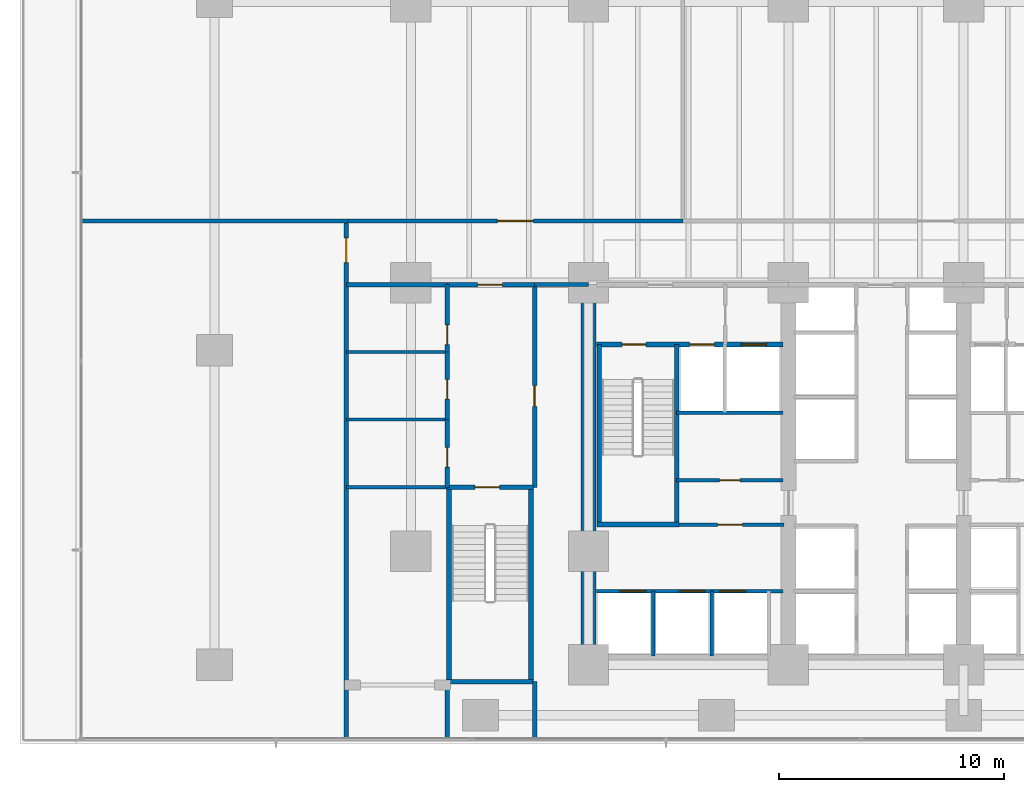
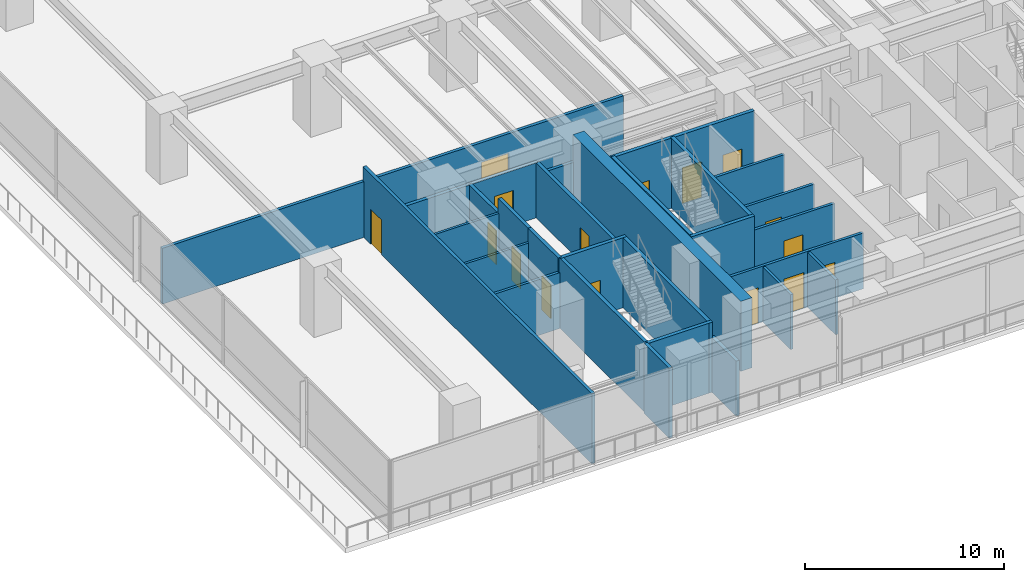
# One storey, part 10 of 27: 30 walls, 16 doors, 16 openings.
"""IFC4 building model written with IfcOpenShell, lengths in metres."""

from ifc_helpers import new_model, si_unit, direction, frame, frame_2d, origin, place, context, subcontext, project, spatial, rectangle, extrude, material, layer, layer_set, type_object, element, fill, save


model = new_model("IFC4")

# Units and contexts
model_context = context("Model", 3, precision=1e-05, world=origin(), true_north=direction((0.0, 1.0)))
body_context = subcontext(model_context, "Body", "Model", "MODEL_VIEW")
ifc_project = project(units=[si_unit("LENGTHUNIT", "METRE"), si_unit("AREAUNIT", "SQUARE_METRE"), si_unit("VOLUMEUNIT", "CUBIC_METRE"), si_unit("PLANEANGLEUNIT", "RADIAN"), si_unit("MASSUNIT", "GRAM", prefix="KILO")], contexts=[model_context])

# Site, building, storey
site_placement = place(None, origin())
site = spatial("IfcSite", under=ifc_project, at=site_placement, CompositionType="ELEMENT")
building_placement = place(site_placement, origin())
building = spatial("IfcBuilding", under=site, at=building_placement, Name="Qalmaran Belvedere Hotel", CompositionType="ELEMENT")
storey_placement = place(building_placement, frame((0.0, 0.0, 5.39990234375)))
storey = spatial("IfcBuildingStorey", under=building, at=storey_placement, Name="L01", CompositionType="ELEMENT", Elevation=5.39990234375)

# Walls
ifc_material_1 = material(Name="Concrete C60/75", Category="concrete")
ifc_layer_1 = layer(ifc_material_1, 0.64990234375, Name="Concrete C60/75")
ifc_layer_set_1 = layer_set([ifc_layer_1], Name="Concrete C60/75")
wall_type_1 = type_object("IfcWallType", Name="WL-CORE-650-C60", PredefinedType="SHEAR", material=ifc_layer_set_1)
wall_1_placement = place(storey_placement, frame((20.300048828125, 3.5, 0.0), z_axis=(0.0, 0.0, 1.0), x_axis=(0.0, 1.0, 0.0)))
element("IfcWall", 1, at=wall_1_placement, inside=storey, type_object=wall_type_1, Name="L01 West Core Shear Wall", PredefinedType="SHEAR", context=body_context, shape_type="SweptSolid", body=[
    extrude(rectangle(XDim=16.89990234375, YDim=0.64990234375, at=frame_2d((8.449951171875, 0.0))), origin(), (0.0, 0.0, 1.0), 4.300048828125),
])
ifc_material_2 = material(Name="Gypsum Stud Partition")
ifc_layer_2 = layer(ifc_material_2, 0.139892578125, Name="Gypsum Stud Partition")
ifc_layer_set_2 = layer_set([ifc_layer_2], Name="Gypsum Stud Partition")
wall_type_2 = type_object("IfcWallType", Name="WL-INT-140-NR", PredefinedType="PARTITIONING", material=ifc_layer_set_2)
for number, where, z_axis, x_axis, name in (
    (2, (9.52001953125, 14.419921875, 0.0), (0.0, 0.0, 1.0), (1.0, 0.0, 0.0), "L01 Partition WL-L01-WC1"),
    (3, (9.52001953125, 17.419921875, 0.0), (0.0, 0.0, 1.0), (1.0, 0.0, 0.0), "L01 Partition WL-L01-WC2"),
):
    element("IfcWall", number, at=place(storey_placement, frame(where, z_axis=z_axis, x_axis=x_axis)), inside=storey, type_object=wall_type_2, Name=name, PredefinedType="PARTITIONING", context=body_context, shape_type="SweptSolid", body=[
        extrude(rectangle(XDim=4.5, YDim=0.139892578125, at=frame_2d((2.25, 0.0))), origin(), (0.0, 0.0, 1.0), 3.43017578125),
    ])
ifc_layer_3 = layer(ifc_material_2, 0.14990234375, Name="Gypsum Stud Partition")
ifc_layer_set_3 = layer_set([ifc_layer_3], Name="Gypsum Stud Partition")
wall_type_3 = type_object("IfcWallType", Name="WL-INT-150-EI120", PredefinedType="PARTITIONING", material=ifc_layer_set_3)
for number, where, z_axis, x_axis, name in (
    (4, (23.179931640625, 3.89990234375, 0.0), (0.0, 0.0, 1.0), (0.0, 1.0, 0.0), "L01 Partition WL-POM1-L01"),
    (5, (25.780029296875, 3.89990234375, 0.0), (0.0, 0.0, 1.0), (0.0, 1.0, 0.0), "L01 Partition WL-POM2-L01"),
):
    element("IfcWall", number, at=place(storey_placement, frame(where, z_axis=z_axis, x_axis=x_axis)), inside=storey, type_object=wall_type_3, Name=name, PredefinedType="PARTITIONING", context=body_context, shape_type="SweptSolid", body=[
        extrude(rectangle(XDim=2.880126953125, YDim=0.14990234375, at=frame_2d((1.43994140625, 0.0))), origin(), (0.0, 0.0, 1.0), 3.373046875),
    ])
ifc_layer_4 = layer(ifc_material_2, 0.159912109375, Name="Gypsum Stud Partition")
ifc_layer_set_4 = layer_set([ifc_layer_4], Name="Gypsum Stud Partition")
wall_type_4 = type_object("IfcWallType", Name="WL-INT-160-EI120", PredefinedType="PARTITIONING", material=ifc_layer_set_4)
wall_2_placement = place(storey_placement, frame((24.219970703125, 14.719970703125, 0.0), z_axis=(0.0, 0.0, 1.0), x_axis=(1.0, 0.0, 0.0)))
element("IfcWall", 6, at=wall_2_placement, inside=storey, type_object=wall_type_4, Name="L01 Partition WL-FF1S-L01", PredefinedType="PARTITIONING", context=body_context, shape_type="SweptSolid", body=[
    extrude(rectangle(XDim=4.72998046875, YDim=0.159912109375, at=frame_2d((2.364990234375, 0.0))), origin(), (0.0, 0.0, 1.0), 3.43017578125),
])

# Wall, openings, doors
wall_3_placement = place(storey_placement, frame((20.64990234375, 6.780029296875, 0.0), z_axis=(0.0, 0.0, 1.0), x_axis=(1.0, 0.0, 0.0)))
wall_3 = element("IfcWall", 7, at=wall_3_placement, inside=storey, type_object=wall_type_4, Name="L01 Partition WL-POS-L01", PredefinedType="PARTITIONING", context=body_context, shape_type="SweptSolid", body=[
    extrude(rectangle(XDim=8.300048828125, YDim=0.159912109375, at=frame_2d((4.14990234375, 0.0))), origin(), (0.0, 0.0, 1.0), 3.43017578125),
])
opening_1_placement = place(wall_3_placement, frame((3.69482421875, 0.0, 0.0)))
opening_1 = element("IfcOpeningElement", 8, at=opening_1_placement, cuts=wall_3, Name="Opening LD-PO", PredefinedType="OPENING", context=body_context, shape_type="SweptSolid", body=[
    extrude(rectangle(XDim=1.14990234375, YDim=2.199951171875, at=frame_2d((0.574951171875, 1.10009765625))), frame((0.0, 0.08984375, 0.0), z_axis=(0.0, -1.0, 0.0), x_axis=(1.0, 0.0, 0.0)), (0.0, 0.0, 1.0), 0.179931640625),
])
opening_2_placement = place(wall_3_placement, frame((5.4921875, 0.0, 0.0)))
opening_2 = element("IfcOpeningElement", 9, at=opening_2_placement, cuts=wall_3, Name="Opening LD-PO", PredefinedType="OPENING", context=body_context, shape_type="SweptSolid", body=[
    extrude(rectangle(XDim=1.14990234375, YDim=2.199951171875, at=frame_2d((0.574951171875, 1.10009765625))), frame((0.0, 0.08984375, 0.0), z_axis=(0.0, -1.0, 0.0), x_axis=(1.0, 0.0, 0.0)), (0.0, 0.0, 1.0), 0.179931640625),
])
opening_3_placement = place(wall_3_placement, frame((1.058837890625, 0.0, 0.0)))
opening_3 = element("IfcOpeningElement", 10, at=opening_3_placement, cuts=wall_3, Name="Opening LD-PO", PredefinedType="OPENING", context=body_context, shape_type="SweptSolid", body=[
    extrude(rectangle(XDim=1.14990234375, YDim=2.199951171875, at=frame_2d((0.574951171875, 1.10009765625))), frame((0.0, 0.08984375, 0.0), z_axis=(0.0, -1.0, 0.0), x_axis=(1.0, 0.0, 0.0)), (0.0, 0.0, 1.0), 0.179931640625),
])
ifc_material_3 = material(Name="Anodised Bronze Aluminium", Category="aluminium")
door_type_1 = type_object("IfcDoorType", Name="DR-LIFT-PO-1150X2200", OperationType="DOUBLE_DOOR_SLIDING", PredefinedType="DOOR", material=ifc_material_3)
door_1_placement = place(opening_1_placement, origin())
door_1 = element("IfcDoor", 11, at=door_1_placement, inside=storey, type_object=door_type_1, Name="L01 PO1 Shuttle Landing Door", OperationType="DOUBLE_DOOR_SLIDING", OverallHeight=2.199951171875, OverallWidth=1.14990234375, PredefinedType="DOOR", context=body_context, shape_type="SweptSolid", body=[
    extrude(rectangle(XDim=1.14990234375, YDim=2.199951171875, at=frame_2d((0.574951171875, 1.10009765625))), frame((0.0, 0.02490234375, 0.0), z_axis=(0.0, -1.0, 0.0), x_axis=(1.0, 0.0, 0.0)), (0.0, 0.0, 1.0), 0.050048828125),
])
fill(opening_1, door_1)
door_2_placement = place(opening_2_placement, origin())
door_2 = element("IfcDoor", 12, at=door_2_placement, inside=storey, type_object=door_type_1, Name="L01 PO2 Shuttle Landing Door", OperationType="DOUBLE_DOOR_SLIDING", OverallHeight=2.199951171875, OverallWidth=1.14990234375, PredefinedType="DOOR", context=body_context, shape_type="SweptSolid", body=[
    extrude(rectangle(XDim=1.14990234375, YDim=2.199951171875, at=frame_2d((0.574951171875, 1.10009765625))), frame((0.0, 0.02490234375, 0.0), z_axis=(0.0, -1.0, 0.0), x_axis=(1.0, 0.0, 0.0)), (0.0, 0.0, 1.0), 0.050048828125),
])
fill(opening_2, door_2)
door_3_placement = place(opening_3_placement, origin())
door_3 = element("IfcDoor", 13, at=door_3_placement, inside=storey, type_object=door_type_1, Name="L01 PO3 Shuttle Landing Door", OperationType="DOUBLE_DOOR_SLIDING", OverallHeight=2.199951171875, OverallWidth=1.14990234375, PredefinedType="DOOR", context=body_context, shape_type="SweptSolid", body=[
    extrude(rectangle(XDim=1.14990234375, YDim=2.199951171875, at=frame_2d((0.574951171875, 1.10009765625))), frame((0.0, 0.02490234375, 0.0), z_axis=(0.0, -1.0, 0.0), x_axis=(1.0, 0.0, 0.0)), (0.0, 0.0, 1.0), 0.050048828125),
])
fill(opening_3, door_3)

# Wall, opening, door
wall_4_placement = place(storey_placement, frame((24.199951171875, 9.739990234375, 0.0), z_axis=(0.0, 0.0, 1.0), x_axis=(1.0, 0.0, 0.0)))
wall_4 = element("IfcWall", 14, at=wall_4_placement, inside=storey, type_object=wall_type_4, Name="L01 Partition WL-PON-L01", PredefinedType="PARTITIONING", context=body_context, shape_type="SweptSolid", body=[
    extrude(rectangle(XDim=4.800048828125, YDim=0.159912109375, at=frame_2d((2.39990234375, 0.0))), origin(), (0.0, 0.0, 1.0), 3.43017578125),
])
opening_4_placement = place(wall_4_placement, frame((1.85009765625, 0.0, 0.0)))
opening_4 = element("IfcOpeningElement", 15, at=opening_4_placement, cuts=wall_4, Name="Opening FD90", PredefinedType="OPENING", context=body_context, shape_type="SweptSolid", body=[
    extrude(rectangle(XDim=1.10009765625, YDim=2.14990234375, at=frame_2d((0.550048828125, 1.074951171875))), frame((0.0, 0.08984375, 0.0), z_axis=(0.0, -1.0, 0.0), x_axis=(1.0, 0.0, 0.0)), (0.0, 0.0, 1.0), 0.179931640625),
])
ifc_material_4 = material(Name="Steel S355JR", Category="steel")
door_type_2 = type_object("IfcDoorType", Name="DR-FD90-1100X2150", OperationType="NOTDEFINED", PredefinedType="DOOR", material=ifc_material_4)
door_4_placement = place(opening_4_placement, origin())
door_4 = element("IfcDoor", 16, at=door_4_placement, inside=storey, type_object=door_type_2, Name="L01 Shuttle Lobby Passage Door", OperationType="SINGLE_SWING_RIGHT", OverallHeight=2.14990234375, OverallWidth=1.10009765625, PredefinedType="DOOR", context=body_context, shape_type="SweptSolid", body=[
    extrude(rectangle(XDim=1.10009765625, YDim=2.14990234375, at=frame_2d((0.550048828125, 1.074951171875))), frame((0.0, 0.02490234375, 0.0), z_axis=(0.0, -1.0, 0.0), x_axis=(1.0, 0.0, 0.0)), (0.0, 0.0, 1.0), 0.050048828125),
])
fill(opening_4, door_4)

ifc_layer_5 = layer(ifc_material_2, 0.159912109375, Name="Gypsum Stud Partition")
ifc_layer_set_5 = layer_set([ifc_layer_5], Name="Gypsum Stud Partition")
wall_type_5 = type_object("IfcWallType", Name="WL-INT-160-EI60", PredefinedType="PARTITIONING", material=ifc_layer_set_5)
wall_5_placement = place(storey_placement, frame((24.219970703125, 11.719970703125, 0.0), z_axis=(0.0, 0.0, 1.0), x_axis=(1.0, 0.0, 0.0)))
wall_5 = element("IfcWall", 17, at=wall_5_placement, inside=storey, type_object=wall_type_5, Name="L01 Partition WL-L01-KWE1", PredefinedType="PARTITIONING", context=body_context, shape_type="SweptSolid", body=[
    extrude(rectangle(XDim=4.72998046875, YDim=0.159912109375, at=frame_2d((2.364990234375, 0.0))), origin(), (0.0, 0.0, 1.0), 3.43017578125),
])
opening_5_placement = place(wall_5_placement, frame((1.905029296875, 0.0, 0.0)))
opening_5 = element("IfcOpeningElement", 18, at=opening_5_placement, cuts=wall_5, Name="Opening FD60S1", PredefinedType="OPENING", context=body_context, shape_type="SweptSolid", body=[
    extrude(rectangle(XDim=0.919921875, YDim=2.080078125, at=frame_2d((0.4599609375, 1.0400390625))), frame((0.0, 0.08984375, 0.0), z_axis=(0.0, -1.0, 0.0), x_axis=(1.0, 0.0, 0.0)), (0.0, 0.0, 1.0), 0.179931640625),
])
ifc_material_5 = material(Name="Engineered Oak Veneer")
door_type_3 = type_object("IfcDoorType", Name="DR-FD60S-920X2080", OperationType="NOTDEFINED", PredefinedType="DOOR", material=ifc_material_5)
door_5_placement = place(opening_5_placement, origin())
door_5 = element("IfcDoor", 19, at=door_5_placement, inside=storey, type_object=door_type_3, Name="L01 Electrical Distribution Room Door", OperationType="SINGLE_SWING_LEFT", OverallHeight=2.080078125, OverallWidth=0.919921875, PredefinedType="DOOR", context=body_context, shape_type="SweptSolid", body=[
    extrude(rectangle(XDim=0.919921875, YDim=2.080078125, at=frame_2d((0.4599609375, 1.0400390625))), frame((0.0, 0.02490234375, 0.0), z_axis=(0.0, -1.0, 0.0), x_axis=(1.0, 0.0, 0.0)), (0.0, 0.0, 1.0), 0.050048828125),
])
fill(opening_5, door_5)

# Walls
wall_6_placement = place(storey_placement, frame((9.52001953125, 11.39990234375, 0.0), z_axis=(0.0, 0.0, 1.0), x_axis=(1.0, 0.0, 0.0)))
element("IfcWall", 20, at=wall_6_placement, inside=storey, type_object=wall_type_5, Name="L01 Partition WL-L01-WCS", PredefinedType="PARTITIONING", context=body_context, shape_type="SweptSolid", body=[
    extrude(rectangle(XDim=4.5, YDim=0.159912109375, at=frame_2d((2.25, 0.0))), origin(), (0.0, 0.0, 1.0), 3.43017578125),
])
ifc_layer_6 = layer(ifc_material_2, 0.179931640625, Name="Gypsum Stud Partition")
ifc_layer_set_6 = layer_set([ifc_layer_6], Name="Gypsum Stud Partition")
wall_type_6 = type_object("IfcWallType", Name="WL-INT-180-EI60", PredefinedType="PARTITIONING", material=ifc_layer_set_6)
wall_7_placement = place(storey_placement, frame((17.89990234375, 20.419921875, 0.0), z_axis=(0.0, 0.0, 1.0), x_axis=(1.0, 0.0, 0.0)))
element("IfcWall", 21, at=wall_7_placement, inside=storey, type_object=wall_type_6, Name="L01 Partition WL-L01-SFGN", PredefinedType="PARTITIONING", context=body_context, shape_type="SweptSolid", body=[
    extrude(rectangle(XDim=2.400146484375, YDim=0.179931640625, at=frame_2d((1.2001953125, 0.0))), origin(), (0.0, 0.0, 1.0), 2.634521484375),
])

# Wall, opening, door
wall_8_placement = place(storey_placement, frame((9.52001953125, 0.219970703125, 0.0), z_axis=(0.0, 0.0, 1.0), x_axis=(0.0, 1.0, 0.0)))
wall_8 = element("IfcWall", 22, at=wall_8_placement, inside=storey, type_object=wall_type_6, Name="L01 Partition WL-L01-WCW", PredefinedType="PARTITIONING", context=body_context, shape_type="SweptSolid", body=[
    extrude(rectangle(XDim=23.030029296875, YDim=0.179931640625, at=frame_2d((11.51513671875, 0.0))), origin(), (0.0, 0.0, 1.0), 4.300048828125),
])
opening_6_placement = place(wall_8_placement, frame((21.179931640625, 0.0, 0.0)))
opening_6 = element("IfcOpeningElement", 23, at=opening_6_placement, cuts=wall_8, Name="Opening FD90", PredefinedType="OPENING", context=body_context, shape_type="SweptSolid", body=[
    extrude(rectangle(XDim=1.10009765625, YDim=2.14990234375, at=frame_2d((0.550048828125, 1.074951171875))), frame((0.0, 0.10009765625, 0.0), z_axis=(0.0, -1.0, 0.0), x_axis=(1.0, 0.0, 0.0)), (0.0, 0.0, 1.0), 0.199951171875),
])
door_6_placement = place(opening_6_placement, origin())
door_6 = element("IfcDoor", 24, at=door_6_placement, inside=storey, type_object=door_type_2, Name="L01 West Wing Door", OperationType="SINGLE_SWING_RIGHT", OverallHeight=2.14990234375, OverallWidth=1.10009765625, PredefinedType="DOOR", context=body_context, shape_type="SweptSolid", body=[
    extrude(rectangle(XDim=1.10009765625, YDim=2.14990234375, at=frame_2d((0.550048828125, 1.074951171875))), frame((0.0, 0.02490234375, 0.0), z_axis=(0.0, -1.0, 0.0), x_axis=(1.0, 0.0, 0.0)), (0.0, 0.0, 1.0), 0.050048828125),
])
fill(opening_6, door_6)

wall_9_placement = place(storey_placement, frame((9.60009765625, 23.25, 0.0), z_axis=(0.0, 0.0, 1.0), x_axis=(1.0, 0.0, 0.0)))
wall_9 = element("IfcWall", 25, at=wall_9_placement, inside=storey, type_object=wall_type_6, Name="L01 Partition WL-L01-GND1", PredefinedType="PARTITIONING", context=body_context, shape_type="SweptSolid", body=[
    extrude(rectangle(XDim=14.89990234375, YDim=0.179931640625, at=frame_2d((7.449951171875, 0.0))), origin(), (0.0, 0.0, 1.0), 3.43017578125),
])
opening_7_placement = place(wall_9_placement, frame((6.64990234375, 0.0, 0.0)))
opening_7 = element("IfcOpeningElement", 26, at=opening_7_placement, cuts=wall_9, Name="Opening FD60D", PredefinedType="OPENING", context=body_context, shape_type="SweptSolid", body=[
    extrude(rectangle(XDim=1.60009765625, YDim=2.219970703125, at=frame_2d((0.800048828125, 1.10986328125))), frame((0.0, 0.10009765625, 0.0), z_axis=(0.0, -1.0, 0.0), x_axis=(1.0, 0.0, 0.0)), (0.0, 0.0, 1.0), 0.199951171875),
])
door_type_4 = type_object("IfcDoorType", Name="DR-FD60D-1600X2220", OperationType="NOTDEFINED", PredefinedType="DOOR", material=ifc_material_5)
door_7_placement = place(opening_7_placement, origin())
door_7 = element("IfcDoor", 27, at=door_7_placement, inside=storey, type_object=door_type_4, Name="L01 Conference Hall Al Aqiq Door", OperationType="DOUBLE_DOOR_SINGLE_SWING", OverallHeight=2.219970703125, OverallWidth=1.60009765625, PredefinedType="DOOR", context=body_context, shape_type="SweptSolid", body=[
    extrude(rectangle(XDim=1.60009765625, YDim=2.219970703125, at=frame_2d((0.800048828125, 1.10986328125))), frame((0.0, 0.02490234375, 0.0), z_axis=(0.0, -1.0, 0.0), x_axis=(1.0, 0.0, 0.0)), (0.0, 0.0, 1.0), 0.050048828125),
])
fill(opening_7, door_7)

# Wall
wall_10_placement = place(storey_placement, frame((-2.280029296875, 23.25, 0.0), z_axis=(0.0, 0.0, 1.0), x_axis=(1.0, 0.0, 0.0)))
element("IfcWall", 28, at=wall_10_placement, inside=storey, type_object=wall_type_6, Name="L01 Partition WL-L01-GNW1", PredefinedType="PARTITIONING", context=body_context, shape_type="SweptSolid", body=[
    extrude(rectangle(XDim=11.880126953125, YDim=0.179931640625, at=frame_2d((5.93994140625, 0.0))), origin(), (0.0, 0.0, 1.0), 3.43017578125),
])

# Wall, opening, door
ifc_material_6 = material(Name="Concrete C30/37 Blockwork", Category="masonry")
ifc_layer_7 = layer(ifc_material_6, 0.199951171875, Name="Concrete C30/37 Blockwork")
ifc_layer_set_7 = layer_set([ifc_layer_7], Name="Concrete C30/37 Blockwork")
wall_type_7 = type_object("IfcWallType", Name="WL-INT-200-EI120", PredefinedType="PARTITIONING", material=ifc_layer_set_7)
wall_11_placement = place(storey_placement, frame((14.02001953125, 11.39990234375, 0.0), z_axis=(0.0, 0.0, 1.0), x_axis=(0.0, 1.0, 0.0)))
wall_11 = element("IfcWall", 29, at=wall_11_placement, inside=storey, type_object=wall_type_7, Name="L01 Partition WL-L01-STPWM", PredefinedType="PARTITIONING", context=body_context, shape_type="SweptSolid", body=[
    extrude(rectangle(XDim=3.02001953125, YDim=0.199951171875, at=frame_2d((1.510009765625, 0.0))), origin(), (0.0, 0.0, 1.0), 4.300048828125),
])
opening_8_placement = place(wall_11_placement, frame((0.89990234375, 0.0, 0.0)))
opening_8 = element("IfcOpeningElement", 30, at=opening_8_placement, cuts=wall_11, Name="Opening FD60B", PredefinedType="OPENING", context=body_context, shape_type="SweptSolid", body=[
    extrude(rectangle(XDim=0.8798828125, YDim=2.080078125, at=frame_2d((0.43994140625, 1.0400390625))), frame((0.0, 0.10986328125, 0.0), z_axis=(0.0, -1.0, 0.0), x_axis=(1.0, 0.0, 0.0)), (0.0, 0.0, 1.0), 0.219970703125),
])
door_type_5 = type_object("IfcDoorType", Name="DR-FD60B-880X2080", OperationType="NOTDEFINED", PredefinedType="DOOR", material=ifc_material_4)
door_8_placement = place(opening_8_placement, origin())
door_8 = element("IfcDoor", 31, at=door_8_placement, inside=storey, type_object=door_type_5, Name="L01 Male WC Door", OperationType="SINGLE_SWING_LEFT", OverallHeight=2.080078125, OverallWidth=0.8798828125, PredefinedType="DOOR", context=body_context, shape_type="SweptSolid", body=[
    extrude(rectangle(XDim=0.8798828125, YDim=2.080078125, at=frame_2d((0.43994140625, 1.0400390625))), frame((0.0, 0.02490234375, 0.0), z_axis=(0.0, -1.0, 0.0), x_axis=(1.0, 0.0, 0.0)), (0.0, 0.0, 1.0), 0.050048828125),
])
fill(opening_8, door_8)

wall_12_placement = place(storey_placement, frame((14.02001953125, 14.419921875, 0.0), z_axis=(0.0, 0.0, 1.0), x_axis=(0.0, 1.0, 0.0)))
wall_12 = element("IfcWall", 32, at=wall_12_placement, inside=storey, type_object=wall_type_7, Name="L01 Partition WL-L01-STPWF", PredefinedType="PARTITIONING", context=body_context, shape_type="SweptSolid", body=[
    extrude(rectangle(XDim=3.0, YDim=0.199951171875, at=frame_2d((1.5, 0.0))), origin(), (0.0, 0.0, 1.0), 4.300048828125),
])
opening_9_placement = place(wall_12_placement, frame((0.89990234375, 0.0, 0.0)))
opening_9 = element("IfcOpeningElement", 33, at=opening_9_placement, cuts=wall_12, Name="Opening FD60B", PredefinedType="OPENING", context=body_context, shape_type="SweptSolid", body=[
    extrude(rectangle(XDim=0.8798828125, YDim=2.080078125, at=frame_2d((0.43994140625, 1.0400390625))), frame((0.0, 0.10986328125, 0.0), z_axis=(0.0, -1.0, 0.0), x_axis=(1.0, 0.0, 0.0)), (0.0, 0.0, 1.0), 0.219970703125),
])
door_9_placement = place(opening_9_placement, origin())
door_9 = element("IfcDoor", 34, at=door_9_placement, inside=storey, type_object=door_type_5, Name="L01 Female WC Door", OperationType="SINGLE_SWING_RIGHT", OverallHeight=2.080078125, OverallWidth=0.8798828125, PredefinedType="DOOR", context=body_context, shape_type="SweptSolid", body=[
    extrude(rectangle(XDim=0.8798828125, YDim=2.080078125, at=frame_2d((0.43994140625, 1.0400390625))), frame((0.0, 0.02490234375, 0.0), z_axis=(0.0, -1.0, 0.0), x_axis=(1.0, 0.0, 0.0)), (0.0, 0.0, 1.0), 0.050048828125),
])
fill(opening_9, door_9)

wall_13_placement = place(storey_placement, frame((14.02001953125, 17.419921875, 0.0), z_axis=(0.0, 0.0, 1.0), x_axis=(0.0, 1.0, 0.0)))
wall_13 = element("IfcWall", 35, at=wall_13_placement, inside=storey, type_object=wall_type_7, Name="L01 Partition WL-L01-STPWA", PredefinedType="PARTITIONING", context=body_context, shape_type="SweptSolid", body=[
    extrude(rectangle(XDim=3.0, YDim=0.199951171875, at=frame_2d((1.5, 0.0))), origin(), (0.0, 0.0, 1.0), 3.373046875),
])
opening_10_placement = place(wall_13_placement, frame((0.33203125, 0.0, 0.0)))
opening_10 = element("IfcOpeningElement", 36, at=opening_10_placement, cuts=wall_13, Name="Opening FD60B", PredefinedType="OPENING", context=body_context, shape_type="SweptSolid", body=[
    extrude(rectangle(XDim=0.8798828125, YDim=2.080078125, at=frame_2d((0.43994140625, 1.0400390625))), frame((0.0, 0.10986328125, 0.0), z_axis=(0.0, -1.0, 0.0), x_axis=(1.0, 0.0, 0.0)), (0.0, 0.0, 1.0), 0.219970703125),
])
door_10_placement = place(opening_10_placement, origin())
door_10 = element("IfcDoor", 37, at=door_10_placement, inside=storey, type_object=door_type_5, Name="L01 Accessible WC Door", OperationType="SINGLE_SWING_LEFT", OverallHeight=2.080078125, OverallWidth=0.8798828125, PredefinedType="DOOR", context=body_context, shape_type="SweptSolid", body=[
    extrude(rectangle(XDim=0.8798828125, YDim=2.080078125, at=frame_2d((0.43994140625, 1.0400390625))), frame((0.0, 0.02490234375, 0.0), z_axis=(0.0, -1.0, 0.0), x_axis=(1.0, 0.0, 0.0)), (0.0, 0.0, 1.0), 0.050048828125),
])
fill(opening_10, door_10)

# Wall
wall_14_placement = place(storey_placement, frame((14.02001953125, 0.219970703125, 0.0), z_axis=(0.0, 0.0, 1.0), x_axis=(0.0, 1.0, 0.0)))
element("IfcWall", 38, at=wall_14_placement, inside=storey, type_object=wall_type_7, Name="L01 Partition WL-L01-STPWS", PredefinedType="PARTITIONING", context=body_context, shape_type="SweptSolid", body=[
    extrude(rectangle(XDim=2.530029296875, YDim=0.199951171875, at=frame_2d((1.26513671875, 0.0))), origin(), (0.0, 0.0, 1.0), 4.300048828125),
])

# Wall, opening, door
wall_15_placement = place(storey_placement, frame((17.89990234375, 11.39990234375, 0.0), z_axis=(0.0, 0.0, 1.0), x_axis=(0.0, 1.0, 0.0)))
wall_15 = element("IfcWall", 39, at=wall_15_placement, inside=storey, type_object=wall_type_7, Name="L01 Partition WL-L01-STPW2", PredefinedType="PARTITIONING", context=body_context, shape_type="SweptSolid", body=[
    extrude(rectangle(XDim=9.02001953125, YDim=0.199951171875, at=frame_2d((4.510009765625, 0.0))), origin(), (0.0, 0.0, 1.0), 3.373046875),
])
opening_11_placement = place(wall_15_placement, frame((4.52001953125, 0.0, 0.0), z_axis=(0.0, 0.0, 1.0), x_axis=(-1.0, 0.0, 0.0)))
opening_11 = element("IfcOpeningElement", 40, at=opening_11_placement, cuts=wall_15, Name="Opening FD60S1", PredefinedType="OPENING", context=body_context, shape_type="SweptSolid", body=[
    extrude(rectangle(XDim=0.919921875, YDim=2.080078125, at=frame_2d((0.4599609375, 1.0400390625))), frame((0.0, 0.10986328125, 0.0), z_axis=(0.0, -1.0, 0.0), x_axis=(1.0, 0.0, 0.0)), (0.0, 0.0, 1.0), 0.219970703125),
])
door_11_placement = place(opening_11_placement, origin())
door_11 = element("IfcDoor", 41, at=door_11_placement, inside=storey, type_object=door_type_3, Name="L01 South Foyer Door", OperationType="SINGLE_SWING_RIGHT", OverallHeight=2.080078125, OverallWidth=0.919921875, PredefinedType="DOOR", context=body_context, shape_type="SweptSolid", body=[
    extrude(rectangle(XDim=0.919921875, YDim=2.080078125, at=frame_2d((0.4599609375, 1.0400390625))), frame((0.0, 0.02490234375, 0.0), z_axis=(0.0, -1.0, 0.0), x_axis=(1.0, 0.0, 0.0)), (0.0, 0.0, 1.0), 0.050048828125),
])
fill(opening_11, door_11)

# Walls
wall_16_placement = place(storey_placement, frame((17.89990234375, 0.219970703125, 0.0), z_axis=(0.0, 0.0, 1.0), x_axis=(0.0, 1.0, 0.0)))
element("IfcWall", 42, at=wall_16_placement, inside=storey, type_object=wall_type_7, Name="L01 Partition WL-L01-STPW2S", PredefinedType="PARTITIONING", context=body_context, shape_type="SweptSolid", body=[
    extrude(rectangle(XDim=2.530029296875, YDim=0.199951171875, at=frame_2d((1.26513671875, 0.0))), origin(), (0.0, 0.0, 1.0), 3.373046875),
])
wall_17_placement = place(storey_placement, frame((9.52001953125, 20.419921875, 0.0), z_axis=(0.0, 0.0, 1.0), x_axis=(1.0, 0.0, 0.0)))
element("IfcWall", 43, at=wall_17_placement, inside=storey, type_object=wall_type_7, Name="L01 Partition WL-L01-CSW1", PredefinedType="PARTITIONING", context=body_context, shape_type="SweptSolid", body=[
    extrude(rectangle(XDim=4.5, YDim=0.199951171875, at=frame_2d((2.25, 0.0))), origin(), (0.0, 0.0, 1.0), 3.373046875),
])

# Wall, opening, door
wall_18_placement = place(storey_placement, frame((14.02001953125, 20.419921875, 0.0), z_axis=(0.0, 0.0, 1.0), x_axis=(1.0, 0.0, 0.0)))
wall_18 = element("IfcWall", 44, at=wall_18_placement, inside=storey, type_object=wall_type_7, Name="L01 Partition WL-L01-CSW2", PredefinedType="PARTITIONING", context=body_context, shape_type="SweptSolid", body=[
    extrude(rectangle(XDim=3.8798828125, YDim=0.199951171875, at=frame_2d((1.93994140625, 0.0))), origin(), (0.0, 0.0, 1.0), 3.373046875),
])
opening_12_placement = place(wall_18_placement, frame((2.4501953125, 0.0, 0.0), z_axis=(0.0, 0.0, 1.0), x_axis=(-1.0, 0.0, 0.0)))
opening_12 = element("IfcOpeningElement", 45, at=opening_12_placement, cuts=wall_18, Name="Opening FD90", PredefinedType="OPENING", context=body_context, shape_type="SweptSolid", body=[
    extrude(rectangle(XDim=1.10009765625, YDim=2.14990234375, at=frame_2d((0.550048828125, 1.074951171875))), frame((0.0, 0.10986328125, 0.0), z_axis=(0.0, -1.0, 0.0), x_axis=(1.0, 0.0, 0.0)), (0.0, 0.0, 1.0), 0.219970703125),
])
door_12_placement = place(opening_12_placement, origin())
door_12 = element("IfcDoor", 46, at=door_12_placement, inside=storey, type_object=door_type_2, Name="L01 West Stair Corridor Door", OperationType="SINGLE_SWING_LEFT", OverallHeight=2.14990234375, OverallWidth=1.10009765625, PredefinedType="DOOR", context=body_context, shape_type="SweptSolid", body=[
    extrude(rectangle(XDim=1.10009765625, YDim=2.14990234375, at=frame_2d((0.550048828125, 1.074951171875))), frame((0.0, 0.02490234375, 0.0), z_axis=(0.0, -1.0, 0.0), x_axis=(1.0, 0.0, 0.0)), (0.0, 0.0, 1.0), 0.050048828125),
])
fill(opening_12, door_12)

# Walls
ifc_material_7 = material(Name="Concrete C50/60", Category="concrete")
ifc_layer_8 = layer(ifc_material_7, 0.2099609375, Name="Concrete C50/60")
ifc_layer_set_8 = layer_set([ifc_layer_8], Name="Concrete C50/60")
wall_type_8 = type_object("IfcWallType", Name="WL-STAIR-210-C50", PredefinedType="SHEAR", material=ifc_layer_set_8)
for number, where, z_axis, x_axis, name in (
    (47, (20.77490234375, 9.7451171875, 0.0), (0.0, 0.0, 1.0), (0.0, 1.0, 0.0), "L01 Stair ST-1 West Bearing Wall"),
    (48, (24.22509765625, 9.7451171875, 0.0), (0.0, 0.0, 1.0), (0.0, 1.0, 0.0), "L01 Stair ST-1 East Bearing Wall"),
):
    element("IfcWall", number, at=place(storey_placement, frame(where, z_axis=z_axis, x_axis=x_axis)), inside=storey, type_object=wall_type_8, Name=name, PredefinedType="SHEAR", context=body_context, shape_type="SweptSolid", body=[
        extrude(rectangle(XDim=8.009765625, YDim=0.2099609375, at=frame_2d((4.0048828125, 0.0))), origin(), (0.0, 0.0, 1.0), 4.300048828125),
    ])
wall_19_placement = place(storey_placement, frame((20.669921875, 9.7451171875, 0.0), z_axis=(0.0, 0.0, 1.0), x_axis=(1.0, 0.0, 0.0)))
element("IfcWall", 49, at=wall_19_placement, inside=storey, type_object=wall_type_8, Name="L01 Stair ST-1 South Bearing Wall", PredefinedType="SHEAR", context=body_context, shape_type="SweptSolid", body=[
    extrude(rectangle(XDim=3.66015625, YDim=0.2099609375, at=frame_2d((1.830078125, 0.0))), origin(), (0.0, 0.0, 1.0), 4.300048828125),
])

# Wall, openings, doors
wall_20_placement = place(storey_placement, frame((20.64990234375, 17.7548828125, 0.0), z_axis=(0.0, 0.0, 1.0), x_axis=(1.0, 0.0, 0.0)))
wall_20 = element("IfcWall", 50, at=wall_20_placement, inside=storey, type_object=wall_type_8, Name="L01 West Lobby and Stair ST-1 North Bearing Wall", PredefinedType="SHEAR", context=body_context, shape_type="SweptSolid", body=[
    extrude(rectangle(XDim=8.300048828125, YDim=0.2099609375, at=frame_2d((4.14990234375, 0.0))), origin(), (0.0, 0.0, 1.0), 4.300048828125),
])
opening_13_placement = place(wall_20_placement, frame((2.199951171875, 0.0, 0.0), z_axis=(0.0, 0.0, 1.0), x_axis=(-1.0, 0.0, 0.0)))
opening_13 = element("IfcOpeningElement", 51, at=opening_13_placement, cuts=wall_20, Name="Opening FD90S2", PredefinedType="OPENING", context=body_context, shape_type="SweptSolid", body=[
    extrude(rectangle(XDim=1.050048828125, YDim=2.14990234375, at=frame_2d((0.52490234375, 1.074951171875))), frame((0.0, 0.114990234375, 0.0), z_axis=(0.0, -1.0, 0.0), x_axis=(1.0, 0.0, 0.0)), (0.0, 0.0, 1.0), 0.22998046875),
])
opening_14_placement = place(wall_20_placement, frame((4.14990234375, 0.0, 0.0)))
opening_14 = element("IfcOpeningElement", 52, at=opening_14_placement, cuts=wall_20, Name="Opening LD-FF", PredefinedType="OPENING", context=body_context, shape_type="SweptSolid", body=[
    extrude(rectangle(XDim=1.10009765625, YDim=2.179931640625, at=frame_2d((0.550048828125, 1.08984375))), frame((0.0, 0.114990234375, 0.0), z_axis=(0.0, -1.0, 0.0), x_axis=(1.0, 0.0, 0.0)), (0.0, 0.0, 1.0), 0.22998046875),
])
opening_15_placement = place(wall_20_placement, frame((6.449951171875, 0.0, 0.0)))
opening_15 = element("IfcOpeningElement", 53, at=opening_15_placement, cuts=wall_20, Name="Opening LD-SV", PredefinedType="OPENING", context=body_context, shape_type="SweptSolid", body=[
    extrude(rectangle(XDim=1.1201171875, YDim=2.199951171875, at=frame_2d((0.56005859375, 1.10009765625))), frame((0.0, 0.114990234375, 0.0), z_axis=(0.0, -1.0, 0.0), x_axis=(1.0, 0.0, 0.0)), (0.0, 0.0, 1.0), 0.22998046875),
])
door_type_6 = type_object("IfcDoorType", Name="DR-FD90S-1050X2150", OperationType="NOTDEFINED", PredefinedType="DOOR", material=ifc_material_4)
door_13_placement = place(opening_13_placement, origin())
door_13 = element("IfcDoor", 54, at=door_13_placement, inside=storey, type_object=door_type_6, Name="L01 Stair ST-1 Door", OperationType="SINGLE_SWING_RIGHT", OverallHeight=2.14990234375, OverallWidth=1.050048828125, PredefinedType="DOOR", context=body_context, shape_type="SweptSolid", body=[
    extrude(rectangle(XDim=1.050048828125, YDim=2.14990234375, at=frame_2d((0.52490234375, 1.074951171875))), frame((0.0, 0.02490234375, 0.0), z_axis=(0.0, -1.0, 0.0), x_axis=(1.0, 0.0, 0.0)), (0.0, 0.0, 1.0), 0.050048828125),
])
fill(opening_13, door_13)
ifc_material_8 = material(Name="Stainless Steel 1.4401", Category="steel")
door_type_7 = type_object("IfcDoorType", Name="DR-LIFT-FF-1100X2180", OperationType="DOUBLE_DOOR_SLIDING", PredefinedType="DOOR", material=ifc_material_8)
door_14_placement = place(opening_14_placement, origin())
door_14 = element("IfcDoor", 55, at=door_14_placement, inside=storey, type_object=door_type_7, Name="L01 FF1 Lift Landing Door", OperationType="DOUBLE_DOOR_SLIDING", OverallHeight=2.179931640625, OverallWidth=1.10009765625, PredefinedType="DOOR", context=body_context, shape_type="SweptSolid", body=[
    extrude(rectangle(XDim=1.10009765625, YDim=2.179931640625, at=frame_2d((0.550048828125, 1.08984375))), frame((0.0, 0.02490234375, 0.0), z_axis=(0.0, -1.0, 0.0), x_axis=(1.0, 0.0, 0.0)), (0.0, 0.0, 1.0), 0.050048828125),
])
fill(opening_14, door_14)
door_type_8 = type_object("IfcDoorType", Name="DR-LIFT-SV-1120X2200", OperationType="DOUBLE_DOOR_SLIDING", PredefinedType="DOOR", material=ifc_material_8)
door_15_placement = place(opening_15_placement, origin())
door_15 = element("IfcDoor", 56, at=door_15_placement, inside=storey, type_object=door_type_8, Name="L01 SV1 Lift Landing Door", OperationType="DOUBLE_DOOR_SLIDING", OverallHeight=2.199951171875, OverallWidth=1.1201171875, PredefinedType="DOOR", context=body_context, shape_type="SweptSolid", body=[
    extrude(rectangle(XDim=1.1201171875, YDim=2.199951171875, at=frame_2d((0.56005859375, 1.10009765625))), frame((0.0, 0.02490234375, 0.0), z_axis=(0.0, -1.0, 0.0), x_axis=(1.0, 0.0, 0.0)), (0.0, 0.0, 1.0), 0.050048828125),
])
fill(opening_15, door_15)

# Walls
for number, where, z_axis, x_axis, name in (
    (57, (14.094970703125, 2.639892578125, 0.0), (0.0, 0.0, 1.0), (0.0, 1.0, 0.0), "L01 Podium Stair STP1 West Bearing Wall"),
    (58, (17.7451171875, 2.639892578125, 0.0), (0.0, 0.0, 1.0), (0.0, 1.0, 0.0), "L01 Podium Stair STP1 East Bearing Wall"),
):
    element("IfcWall", number, at=place(storey_placement, frame(where, z_axis=z_axis, x_axis=x_axis)), inside=storey, type_object=wall_type_8, Name=name, PredefinedType="SHEAR", context=body_context, shape_type="SweptSolid", body=[
        extrude(rectangle(XDim=8.8701171875, YDim=0.2099609375, at=frame_2d((4.43505859375, 0.0))), origin(), (0.0, 0.0, 1.0), 4.300048828125),
    ])
wall_21_placement = place(storey_placement, frame((13.989990234375, 2.7451171875, 0.0), z_axis=(0.0, 0.0, 1.0), x_axis=(1.0, 0.0, 0.0)))
element("IfcWall", 59, at=wall_21_placement, inside=storey, type_object=wall_type_8, Name="L01 Podium Stair STP1 South Bearing Wall", PredefinedType="SHEAR", context=body_context, shape_type="SweptSolid", body=[
    extrude(rectangle(XDim=3.860107421875, YDim=0.2099609375, at=frame_2d((1.93017578125, 0.0))), origin(), (0.0, 0.0, 1.0), 4.300048828125),
])

# Wall, opening, door
wall_22_placement = place(storey_placement, frame((13.989990234375, 11.405029296875, 0.0), z_axis=(0.0, 0.0, 1.0), x_axis=(1.0, 0.0, 0.0)))
wall_22 = element("IfcWall", 60, at=wall_22_placement, inside=storey, type_object=wall_type_8, Name="L01 Podium Stair STP1 North Bearing Wall", PredefinedType="SHEAR", context=body_context, shape_type="SweptSolid", body=[
    extrude(rectangle(XDim=3.860107421875, YDim=0.2099609375, at=frame_2d((1.93017578125, 0.0))), origin(), (0.0, 0.0, 1.0), 4.300048828125),
])
opening_16_placement = place(wall_22_placement, frame((2.35009765625, 0.0, 0.0), z_axis=(0.0, 0.0, 1.0), x_axis=(-1.0, 0.0, 0.0)))
opening_16 = element("IfcOpeningElement", 61, at=opening_16_placement, cuts=wall_22, Name="Opening FD90", PredefinedType="OPENING", context=body_context, shape_type="SweptSolid", body=[
    extrude(rectangle(XDim=1.10009765625, YDim=2.14990234375, at=frame_2d((0.550048828125, 1.074951171875))), frame((0.0, 0.114990234375, 0.0), z_axis=(0.0, -1.0, 0.0), x_axis=(1.0, 0.0, 0.0)), (0.0, 0.0, 1.0), 0.22998046875),
])
door_16_placement = place(opening_16_placement, origin())
door_16 = element("IfcDoor", 62, at=door_16_placement, inside=storey, type_object=door_type_2, Name="L01 Stair ST-P1 Door", OperationType="SINGLE_SWING_RIGHT", OverallHeight=2.14990234375, OverallWidth=1.10009765625, PredefinedType="DOOR", context=body_context, shape_type="SweptSolid", body=[
    extrude(rectangle(XDim=1.10009765625, YDim=2.14990234375, at=frame_2d((0.550048828125, 1.074951171875))), frame((0.0, 0.02490234375, 0.0), z_axis=(0.0, -1.0, 0.0), x_axis=(1.0, 0.0, 0.0)), (0.0, 0.0, 1.0), 0.050048828125),
])
fill(opening_16, door_16)

save(model, "model.ifc")
